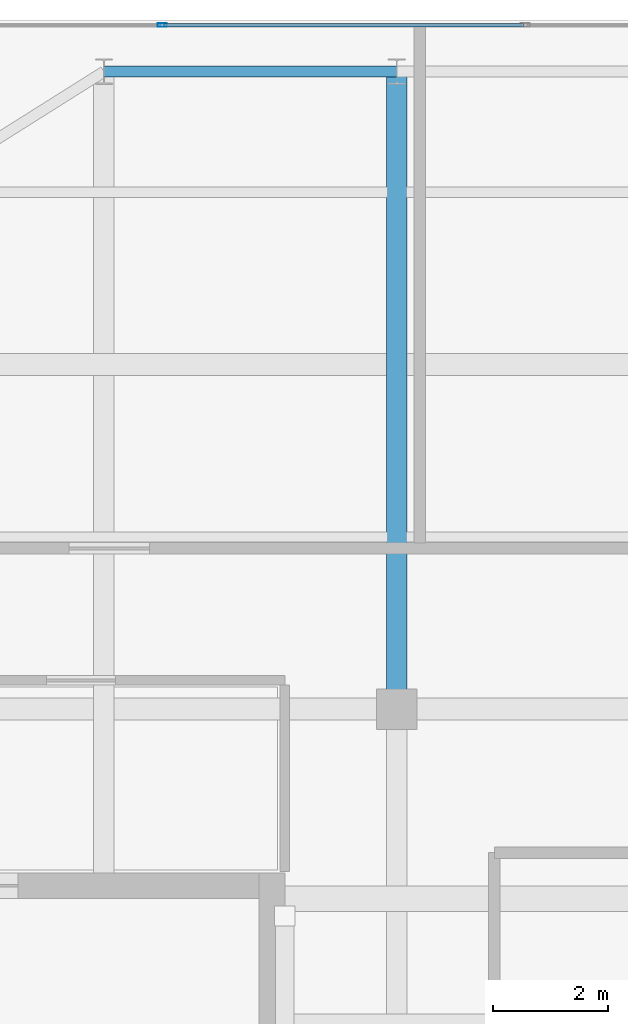
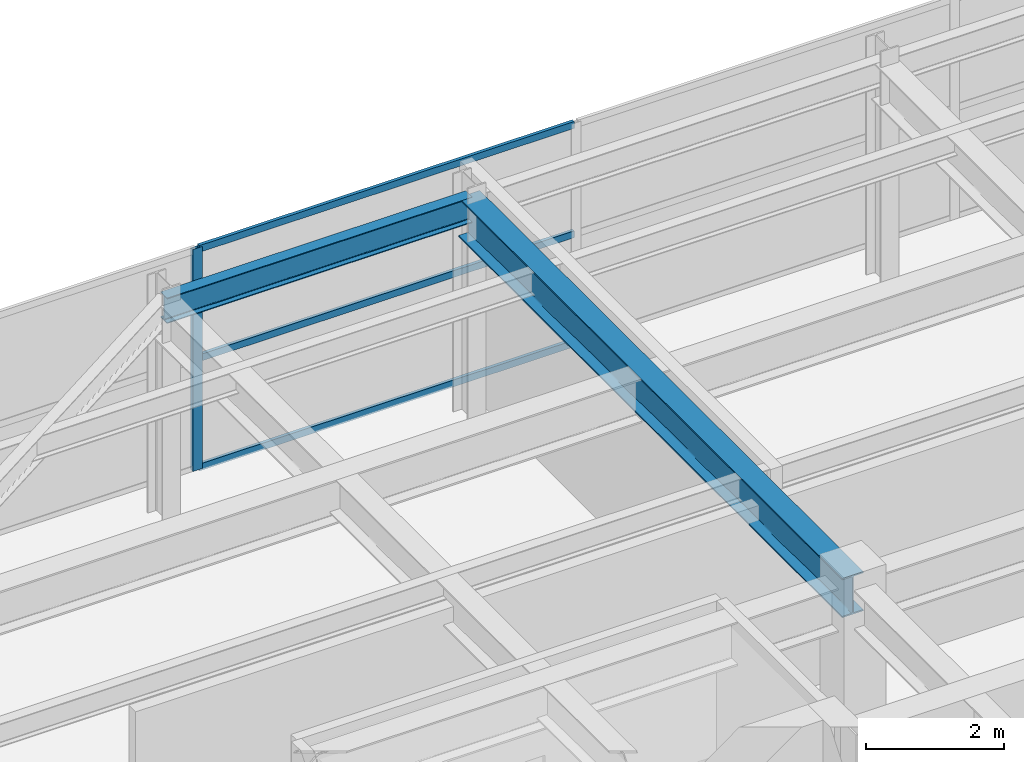
# One storey, part 23 of 32: 4 members, 2 beams, 1 element without a shape of its own.
"""IFC4 building model written with IfcOpenShell, lengths in metres."""

from ifc_helpers import new_model, si_unit, direction, frame, origin, origin_2d, place, context, subcontext, project, spatial, hollow_rectangle, i_section, extrude, source, transform, mapped, material, layer, layer_set, material_profile, profile_set, type_object, element, aggregate, save


model = new_model("IFC4")

# Units and contexts
model_context = context("Model", 3, precision=1e-05, world=origin(), true_north=direction((0.0, 1.0)))
body_context = subcontext(model_context, "Body", "Model", "MODEL_VIEW")
ifc_project = project(units=[si_unit("LENGTHUNIT", "METRE"), si_unit("AREAUNIT", "SQUARE_METRE"), si_unit("VOLUMEUNIT", "CUBIC_METRE"), si_unit("PLANEANGLEUNIT", "RADIAN"), si_unit("MASSUNIT", "GRAM", prefix="KILO")], contexts=[model_context])

# Site, building, storey
site_placement = place(None, origin())
site = spatial("IfcSite", under=ifc_project, at=site_placement, CompositionType="ELEMENT")
building_placement = place(site_placement, origin())
building = spatial("IfcBuilding", under=site, at=building_placement, Name="Khoralis Quay Care Tower", CompositionType="ELEMENT")
storey_placement = place(building_placement, frame((0.0, 0.0, 297.89990234375)))
storey = spatial("IfcBuildingStorey", under=building, at=storey_placement, Name="L78", CompositionType="ELEMENT", Elevation=297.89990234375)

# Beams
ifc_material_1 = material(Name="Steel S355", Category="steel")
ifc_material_profile_1 = material_profile(ifc_material_1, i_section(OverallWidth=0.18994140625, OverallDepth=0.449951171875, WebThickness=0.009521484375, FlangeThickness=0.0146484375, FilletRadius=0.02099609375, at=origin_2d()), Name="Steel S355")
ifc_profile_set_1 = profile_set([ifc_material_profile_1], Name="Steel S355")
beam_type_1 = type_object("IfcBeamType", Name="BM-IPE450", PredefinedType="SPANDREL", material=ifc_profile_set_1)
shared_shape_1 = source(origin(), body_context, "Body", "SweptSolid", [
    extrude(i_section(OverallWidth=0.18994140625, OverallDepth=0.449951171875, WebThickness=0.009521484375, FlangeThickness=0.0146484375, FilletRadius=0.02099609375, at=origin_2d()), origin(), (0.0, 0.0, 1.0), 5.10009765625),
])
beam_1_placement = place(storey_placement, frame((12.0, 41.10009765625, 3.695068359375), z_axis=(1.0, 0.0, 0.0), x_axis=(0.0, 1.0, 0.0)))
element("IfcBeam", 1, at=beam_1_placement, inside=storey, type_object=beam_type_1, Name="BM-TSP-L78-05", PredefinedType="SPANDREL", context=body_context, shape_type="MappedRepresentation", body=[
    mapped(shared_shape_1, transform((0.0, 0.0, 0.0), scale=1.0)),
])
ifc_material_profile_2 = material_profile(ifc_material_1, i_section(OverallWidth=0.35498046875, OverallDepth=0.695068359375, WebThickness=0.015380859375, FlangeThickness=0.02490234375, FilletRadius=0.02001953125, at=origin_2d()), Name="Steel S355")
ifc_profile_set_2 = profile_set([ifc_material_profile_2], Name="Steel S355")
beam_type_2 = type_object("IfcBeamType", Name="BM-W690X217", PredefinedType="BEAM", material=ifc_profile_set_2)
shared_shape_2 = source(origin(), body_context, "Body", "SweptSolid", [
    extrude(i_section(OverallWidth=0.35498046875, OverallDepth=0.695068359375, WebThickness=0.015380859375, FlangeThickness=0.02490234375, FilletRadius=0.02001953125, at=origin_2d()), origin(), (0.0, 0.0, 1.0), 11.10009765625),
])
beam_2_placement = place(storey_placement, frame((17.10009765625, 30.0, 3.572509765625), z_axis=(0.0, 1.0, 0.0), x_axis=(-1.0, 0.0, 0.0)))
element("IfcBeam", 2, at=beam_2_placement, inside=storey, type_object=beam_type_2, Name="BM-TGYN-L78-171", PredefinedType="BEAM", context=body_context, shape_type="MappedRepresentation", body=[
    mapped(shared_shape_2, transform((0.0, 0.0, 0.0), scale=1.0)),
])

# Curtain wall, members
ifc_material_2 = material(Name="Pale anodised aluminium", Category="aluminium")
ifc_layer = layer(ifc_material_2, 0.199951171875)
ifc_layer_set = layer_set([ifc_layer], Name="Pale anodised aluminium")
curtain_wall_type = type_object("IfcCurtainWallType", Name="CW-SYS-LANTERN", PredefinedType="NOTDEFINED", material=ifc_layer_set)
curtain_wall_placement = place(storey_placement, origin())
curtain_wall = element("IfcCurtainWall", 3, at=curtain_wall_placement, inside=storey, type_object=curtain_wall_type, Name="L78 Unitised Curtain Wall CW-LN-L78-11", PredefinedType="NOTDEFINED")
ifc_material_profile_3 = material_profile(ifc_material_2, hollow_rectangle(XDim=0.06005859375, YDim=0.159912109375, WallThickness=0.00390625, at=origin_2d()), Name="Pale anodised aluminium")
ifc_profile_set_3 = profile_set([ifc_material_profile_3], Name="Pale anodised aluminium")
member_type_1 = type_object("IfcMemberType", Name="CW-MUL-160", PredefinedType="MULLION", material=ifc_profile_set_3)
shared_shape_3 = source(origin(), body_context, "Body", "SweptSolid", [
    extrude(hollow_rectangle(XDim=0.06005859375, YDim=0.159912109375, WallThickness=0.00390625, at=origin_2d()), origin(), (0.0, 0.0, 1.0), 3.920166015625),
])
member_1_placement = place(storey_placement, frame((13.013916015625, 41.909912109375, 0.0), z_axis=(0.0, 0.0, 1.0), x_axis=(0.0, -1.0, 0.0)))
member_1 = element("IfcMember", 4, at=member_1_placement, type_object=member_type_1, Name="CW5 mullion 5", PredefinedType="MULLION", context=body_context, shape_type="MappedRepresentation", body=[
    mapped(shared_shape_3, transform((0.0, 0.0, 0.0), scale=1.0)),
])
ifc_material_profile_4 = material_profile(ifc_material_2, hollow_rectangle(XDim=0.054931640625, YDim=0.1201171875, WallThickness=0.00390625, at=origin_2d()), Name="Pale anodised aluminium")
ifc_profile_set_4 = profile_set([ifc_material_profile_4], Name="Pale anodised aluminium")
member_type_2 = type_object("IfcMemberType", Name="CW-TRN-120", PredefinedType="USERDEFINED", material=ifc_profile_set_4)
shared_shape_4 = source(origin(), body_context, "Body", "SweptSolid", [
    extrude(hollow_rectangle(XDim=0.054931640625, YDim=0.1201171875, WallThickness=0.00390625, at=origin_2d()), origin(), (0.0, 0.0, 1.0), 6.26416015625),
])
member_2_placement = place(storey_placement, frame((19.30810546875, 41.909912109375, 0.030029296875), z_axis=(-1.0, 0.0, 0.0), x_axis=(0.0, -1.0, 0.0)))
member_2 = element("IfcMember", 5, at=member_2_placement, type_object=member_type_2, Name="CW5 transom 4.1", ObjectType="TRANSOM", PredefinedType="USERDEFINED", context=body_context, shape_type="MappedRepresentation", body=[
    mapped(shared_shape_4, transform((0.0, 0.0, 0.0), scale=1.0)),
])
member_3_placement = place(storey_placement, frame((19.30810546875, 41.909912109375, 1.960205078125), z_axis=(-1.0, 0.0, 0.0), x_axis=(0.0, -1.0, 0.0)))
member_3 = element("IfcMember", 6, at=member_3_placement, type_object=member_type_2, Name="CW5 transom 4.2", ObjectType="TRANSOM", PredefinedType="USERDEFINED", context=body_context, shape_type="MappedRepresentation", body=[
    mapped(shared_shape_4, transform((0.0, 0.0, 0.0), scale=1.0)),
])
member_4_placement = place(storey_placement, frame((19.30810546875, 41.909912109375, 3.89013671875), z_axis=(-1.0, 0.0, 0.0), x_axis=(0.0, -1.0, 0.0)))
member_4 = element("IfcMember", 7, at=member_4_placement, type_object=member_type_2, Name="CW5 transom 4.3", ObjectType="TRANSOM", PredefinedType="USERDEFINED", context=body_context, shape_type="MappedRepresentation", body=[
    mapped(shared_shape_4, transform((0.0, 0.0, 0.0), scale=1.0)),
])
aggregate(curtain_wall, [member_1, member_2, member_3, member_4])

save(model, "model.ifc")
